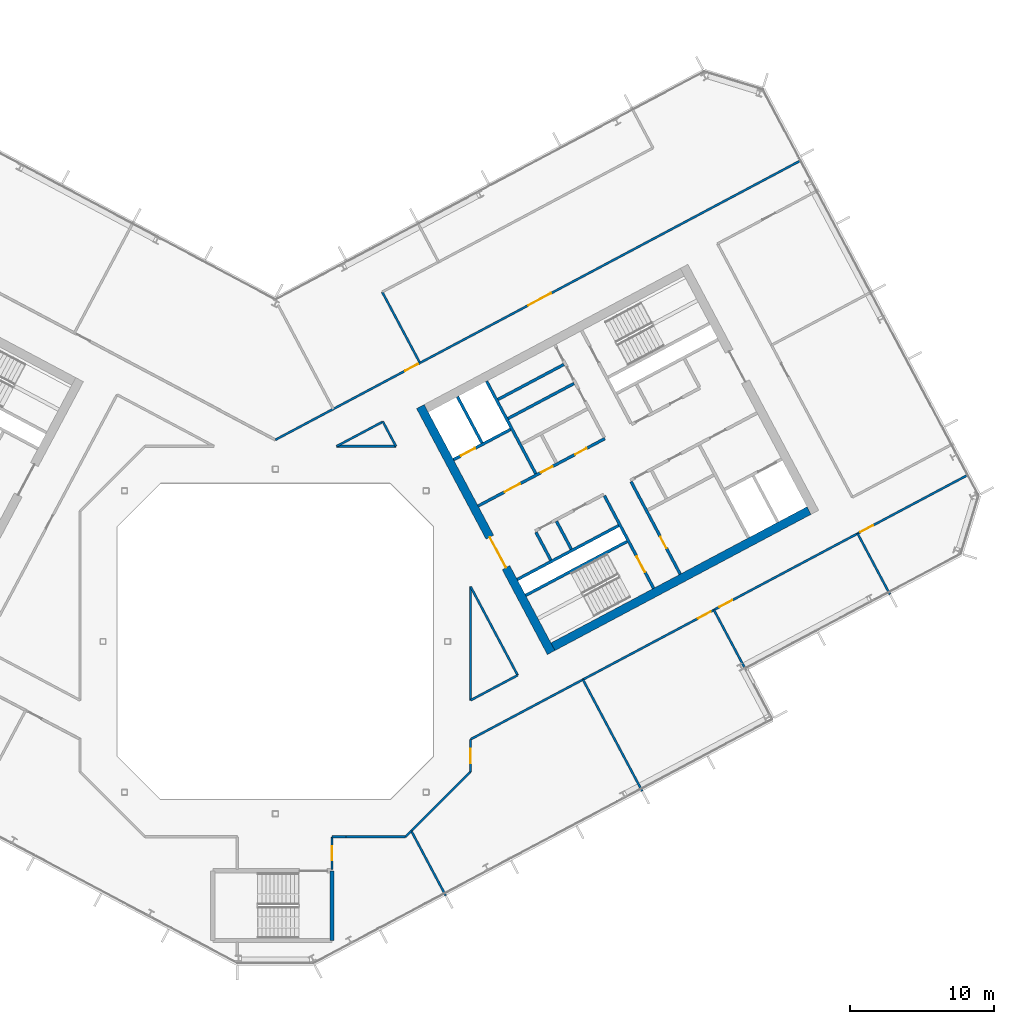
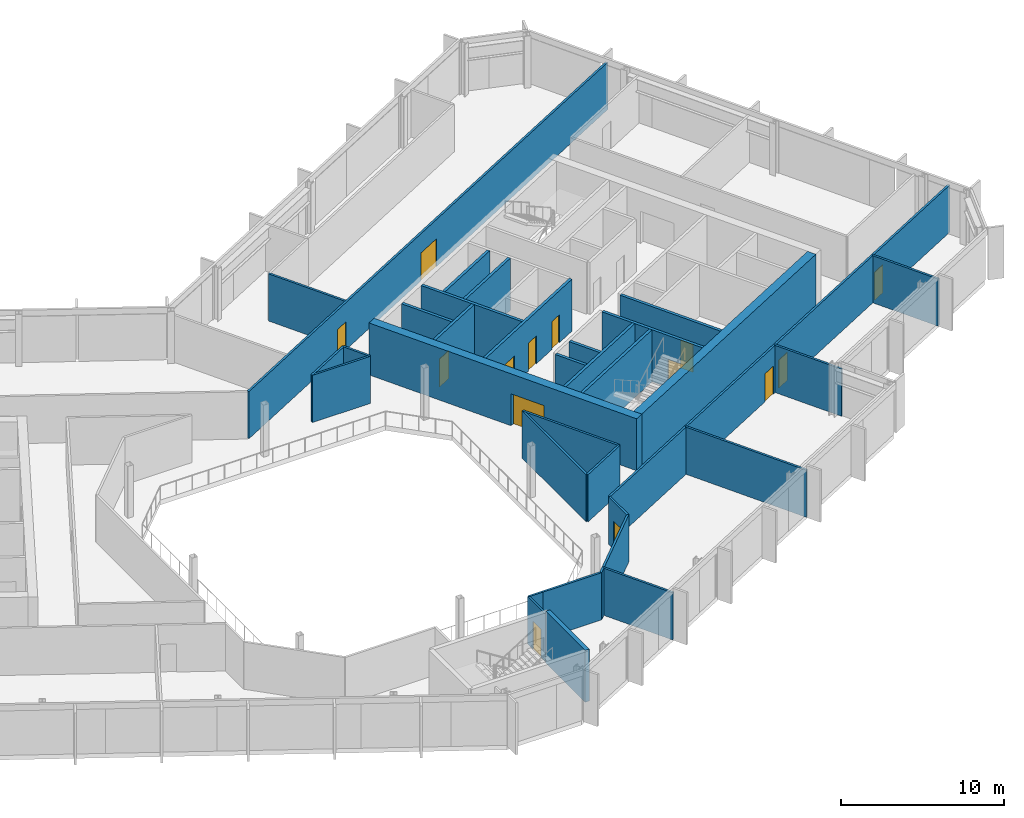
# One storey, part 15 of 26: 34 walls, 14 doors, 14 openings.
"""IFC4 building model written with IfcOpenShell, lengths in metres."""

from ifc_helpers import new_model, si_unit, direction, frame, frame_2d, origin, place, context, subcontext, project, spatial, rectangle, extrude, material, layer, layer_set, type_object, element, fill, save


model = new_model("IFC4")

# Units and contexts
model_context = context("Model", 3, precision=1e-05, world=origin(), true_north=direction((0.0, 1.0)))
body_context = subcontext(model_context, "Body", "Model", "MODEL_VIEW")
ifc_project = project(units=[si_unit("LENGTHUNIT", "METRE"), si_unit("AREAUNIT", "SQUARE_METRE"), si_unit("VOLUMEUNIT", "CUBIC_METRE"), si_unit("PLANEANGLEUNIT", "RADIAN"), si_unit("MASSUNIT", "GRAM", prefix="KILO")], contexts=[model_context])

# Site, building, storey
site_placement = place(None, origin())
site = spatial("IfcSite", under=ifc_project, at=site_placement, CompositionType="ELEMENT")
building_placement = place(site_placement, origin())
building = spatial("IfcBuilding", under=site, at=building_placement, Name="Cormorant Relay Tower", CompositionType="ELEMENT")
storey_placement = place(building_placement, frame((0.0, 0.0, 244.199951171875)))
storey = spatial("IfcBuildingStorey", under=building, at=storey_placement, Name="L54", CompositionType="ELEMENT", Elevation=244.199951171875)

# Walls
ifc_material_1 = material(Name="Concrete 40 MPa", Category="concrete")
ifc_layer_1 = layer(ifc_material_1, 0.199951171875)
ifc_layer_set_1 = layer_set([ifc_layer_1], Name="Core internal wall 200")
wall_type_1 = type_object("IfcWallType", Name="Core internal wall 200", PredefinedType="SOLIDWALL", material=ifc_layer_set_1)
wall_1_placement = place(storey_placement, frame((20.614013671875, 6.430419921875, 0.0), z_axis=(0.0, 0.0, 1.0), x_axis=(-0.4694473164, 0.882960484464, 0.0)))
element("IfcWall", 1, at=wall_1_placement, inside=storey, type_object=wall_type_1, Name="L54 core B shaft and room wall", PredefinedType="SOLIDWALL", context=body_context, shape_type="SweptSolid", body=[
    extrude(rectangle(XDim=2.199951171875, YDim=0.199951171875, at=frame_2d((1.10009765625, 0.0))), origin(), (0.0, 0.0, 1.0), 3.900146484375),
])
for number, where, z_axis, x_axis, name in (
    (2, (16.2080078125, 15.526611328125, 0.0), (0.0, 0.0, 1.0), (0.882953967957, 0.469459572775, 0.0), "L54 core B shaft and room wall"),
    (3, (15.503662109375, 16.85107421875, 0.0), (0.0, 0.0, 1.0), (0.882953967957, 0.469459572775, 0.0), "L54 core B shaft and room wall"),
):
    element("IfcWall", number, at=place(storey_placement, frame(where, z_axis=z_axis, x_axis=x_axis)), inside=storey, type_object=wall_type_1, Name=name, PredefinedType="SOLIDWALL", context=body_context, shape_type="SweptSolid", body=[
        extrude(rectangle(XDim=5.199951171875, YDim=0.199951171875, at=frame_2d((2.60009765625, 0.0))), origin(), (0.0, 0.0, 1.0), 3.900146484375),
    ])
ifc_material_2 = material(Name="Concrete 50 MPa", Category="concrete")
ifc_layer_2 = layer(ifc_material_2, 0.199951171875)
ifc_layer_set_2 = layer_set([ifc_layer_2], Name="Core shaft wall 200")
wall_type_2 = type_object("IfcWallType", Name="Core shaft wall 200", PredefinedType="SHEAR", material=ifc_layer_set_2)
wall_2_placement = place(storey_placement, frame((14.39404296875, 13.825927734375, 0.0), z_axis=(0.0, 0.0, 1.0), x_axis=(-0.469494272526, 0.882935517501, 0.0)))
element("IfcWall", 4, at=wall_2_placement, inside=storey, type_object=wall_type_2, Name="L54 core B shaft wall", PredefinedType="SHEAR", context=body_context, shape_type="SweptSolid", body=[
    extrude(rectangle(XDim=3.64990234375, YDim=0.199951171875, at=frame_2d((1.824951171875, 0.0))), origin(), (0.0, 0.0, 1.0), 3.900146484375),
])
wall_3_placement = place(storey_placement, frame((19.18359375, 5.669921875, 0.0), z_axis=(0.0, 0.0, 1.0), x_axis=(-0.4694473164, 0.882960484464, 0.0)))
element("IfcWall", 5, at=wall_3_placement, inside=storey, type_object=wall_type_2, Name="L54 core B shaft wall", PredefinedType="SHEAR", context=body_context, shape_type="SweptSolid", body=[
    extrude(rectangle(XDim=2.199951171875, YDim=0.199951171875, at=frame_2d((1.10009765625, 0.0))), origin(), (0.0, 0.0, 1.0), 3.900146484375),
])
wall_4_placement = place(storey_placement, frame((18.138427734375, 11.682861328125, 0.0), z_axis=(0.0, 0.0, 1.0), x_axis=(-0.469480409012, 0.88294288918, 0.0)))
element("IfcWall", 6, at=wall_4_placement, inside=storey, type_object=wall_type_2, Name="L54 core B shaft wall", PredefinedType="SHEAR", context=body_context, shape_type="SweptSolid", body=[
    extrude(rectangle(XDim=7.300048828125, YDim=0.199951171875, at=frame_2d((3.64990234375, 0.0))), origin(), (0.0, 0.0, 1.0), 3.900146484375),
])

# Wall, opening, door
wall_5_placement = place(storey_placement, frame((26.345947265625, 3.701904296875, 0.0), z_axis=(0.0, 0.0, 1.0), x_axis=(-0.469480409012, 0.88294288918, 0.0)))
wall_5 = element("IfcWall", 7, at=wall_5_placement, inside=storey, type_object=wall_type_2, Name="L54 core B shaft wall", PredefinedType="SHEAR", context=body_context, shape_type="SweptSolid", body=[
    extrude(rectangle(XDim=7.300048828125, YDim=0.199951171875, at=frame_2d((3.64990234375, 0.0))), origin(), (0.0, 0.0, 1.0), 3.900146484375),
])
opening_1_placement = place(wall_5_placement, frame((1.300048828125, 0.0, 0.0)))
opening_1 = element("IfcOpeningElement", 8, at=opening_1_placement, cuts=wall_5, Name="Opening CDB-040", PredefinedType="OPENING", context=body_context, shape_type="SweptSolid", body=[
    extrude(rectangle(XDim=1.199951171875, YDim=2.10009765625, at=frame_2d((0.60009765625, 1.050048828125))), frame((0.0, 0.10986328125, 0.0), z_axis=(0.0, -1.0, 0.0), x_axis=(1.0, 0.0, 0.0)), (0.0, 0.0, 1.0), 0.219970703125),
])
ifc_material_3 = material(Name="Steel fire door", Category="steel")
door_type_1 = type_object("IfcDoorType", Name="Core stair door 1200x2100", OperationType="SINGLE_SWING_LEFT", PredefinedType="DOOR", material=ifc_material_3)
door_1_placement = place(opening_1_placement, origin())
door_1 = element("IfcDoor", 9, at=door_1_placement, inside=storey, type_object=door_type_1, Name="Core stair door 1200x2100", OperationType="SINGLE_SWING_RIGHT", OverallHeight=2.10009765625, OverallWidth=1.199951171875, PredefinedType="DOOR", context=body_context, shape_type="SweptSolid", body=[
    extrude(rectangle(XDim=1.199951171875, YDim=2.10009765625, at=frame_2d((0.60009765625, 1.050048828125))), frame((0.0, 0.02490234375, 0.0), z_axis=(0.0, -1.0, 0.0), x_axis=(1.0, 0.0, 0.0)), (0.0, 0.0, 1.0), 0.050048828125),
])
fill(opening_1, door_1)

wall_6_placement = place(storey_placement, frame((28.199951171875, 4.687744140625, 0.0), z_axis=(0.0, 0.0, 1.0), x_axis=(-0.469454336211, 0.882956752176, 0.0)))
wall_6 = element("IfcWall", 10, at=wall_6_placement, inside=storey, type_object=wall_type_2, Name="L54 core B shaft wall", PredefinedType="SHEAR", context=body_context, shape_type="SweptSolid", body=[
    extrude(rectangle(XDim=7.300048828125, YDim=0.199951171875, at=frame_2d((3.64990234375, 0.0))), origin(), (0.0, 0.0, 1.0), 3.900146484375),
])
opening_2_placement = place(wall_6_placement, frame((2.050048828125, 0.0, 0.0)))
opening_2 = element("IfcOpeningElement", 11, at=opening_2_placement, cuts=wall_6, Name="Opening CDD-302", PredefinedType="OPENING", context=body_context, shape_type="SweptSolid", body=[
    extrude(rectangle(XDim=0.89990234375, YDim=2.10009765625, at=frame_2d((0.449951171875, 1.050048828125))), frame((0.0, 0.10986328125, 0.0), z_axis=(0.0, -1.0, 0.0), x_axis=(1.0, 0.0, 0.0)), (0.0, 0.0, 1.0), 0.219970703125),
])
ifc_material_4 = material(Name="Steel fire door", Category="steel")
door_type_2 = type_object("IfcDoorType", Name="Core room door 900x2100", OperationType="SINGLE_SWING_LEFT", PredefinedType="DOOR", material=ifc_material_4)
door_2_placement = place(opening_2_placement, origin())
door_2 = element("IfcDoor", 12, at=door_2_placement, inside=storey, type_object=door_type_2, Name="Core room door 900x2100", OperationType="SINGLE_SWING_RIGHT", OverallHeight=2.10009765625, OverallWidth=0.89990234375, PredefinedType="DOOR", context=body_context, shape_type="SweptSolid", body=[
    extrude(rectangle(XDim=0.89990234375, YDim=2.10009765625, at=frame_2d((0.449951171875, 1.050048828125))), frame((0.0, 0.02490234375, 0.0), z_axis=(0.0, -1.0, 0.0), x_axis=(1.0, 0.0, 0.0)), (0.0, 0.0, 1.0), 0.050048828125),
])
fill(opening_2, door_2)

# Walls
for number, where, z_axis, x_axis, name in (
    (13, (17.43359375, 3.210205078125, 0.0), (0.0, 0.0, 1.0), (0.882940221191, 0.469485426614, 0.0), "L54 core B shaft wall"),
    (14, (16.8466796875, 4.31396484375, 0.0), (0.0, 0.0, 1.0), (0.882940221191, 0.469485426614, 0.0), "L54 core B shaft wall"),
):
    element("IfcWall", number, at=place(storey_placement, frame(where, z_axis=z_axis, x_axis=x_axis)), inside=storey, type_object=wall_type_2, Name=name, PredefinedType="SHEAR", context=body_context, shape_type="SweptSolid", body=[
        extrude(rectangle(XDim=8.0, YDim=0.199951171875, at=frame_2d((4.0, 0.0))), origin(), (0.0, 0.0, 1.0), 3.900146484375),
    ])

# Wall, openings, doors
wall_7_placement = place(storey_placement, frame((14.123779296875, 9.43505859375, 0.0), z_axis=(0.0, 0.0, 1.0), x_axis=(0.882940221191, 0.469485426614, 0.0)))
wall_7 = element("IfcWall", 15, at=wall_7_placement, inside=storey, type_object=wall_type_2, Name="L54 core B shaft wall", PredefinedType="SHEAR", context=body_context, shape_type="SweptSolid", body=[
    extrude(rectangle(XDim=10.0, YDim=0.199951171875, at=frame_2d((5.0, 0.0))), origin(), (0.0, 0.0, 1.0), 3.900146484375),
])
opening_3_placement = place(wall_7_placement, frame((2.10009765625, 0.0, 0.0)))
opening_3 = element("IfcOpeningElement", 16, at=opening_3_placement, cuts=wall_7, Name="Opening CDC-037", PredefinedType="OPENING", context=body_context, shape_type="SweptSolid", body=[
    extrude(rectangle(XDim=1.199951171875, YDim=2.10009765625, at=frame_2d((0.60009765625, 1.050048828125))), frame((0.0, 0.10986328125, 0.0), z_axis=(0.0, -1.0, 0.0), x_axis=(1.0, 0.0, 0.0)), (0.0, 0.0, 1.0), 0.219970703125),
])
opening_4_placement = place(wall_7_placement, frame((4.9599609375, 0.0, 0.0)))
opening_4 = element("IfcOpeningElement", 17, at=opening_4_placement, cuts=wall_7, Name="Opening CDD-293", PredefinedType="OPENING", context=body_context, shape_type="SweptSolid", body=[
    extrude(rectangle(XDim=0.89990234375, YDim=2.10009765625, at=frame_2d((0.449951171875, 1.050048828125))), frame((0.0, 0.10986328125, 0.0), z_axis=(0.0, -1.0, 0.0), x_axis=(1.0, 0.0, 0.0)), (0.0, 0.0, 1.0), 0.219970703125),
])
opening_5_placement = place(wall_7_placement, frame((7.659912109375, 0.0, 0.0)))
opening_5 = element("IfcOpeningElement", 18, at=opening_5_placement, cuts=wall_7, Name="Opening CDD-272", PredefinedType="OPENING", context=body_context, shape_type="SweptSolid", body=[
    extrude(rectangle(XDim=0.89990234375, YDim=2.10009765625, at=frame_2d((0.449951171875, 1.050048828125))), frame((0.0, 0.10986328125, 0.0), z_axis=(0.0, -1.0, 0.0), x_axis=(1.0, 0.0, 0.0)), (0.0, 0.0, 1.0), 0.219970703125),
])
ifc_material_5 = material(Name="Steel fire door", Category="steel")
door_type_3 = type_object("IfcDoorType", Name="Core lobby door 1200x2100", OperationType="SINGLE_SWING_LEFT", PredefinedType="DOOR", material=ifc_material_5)
door_3_placement = place(opening_3_placement, origin())
door_3 = element("IfcDoor", 19, at=door_3_placement, inside=storey, type_object=door_type_3, Name="Core lobby door 1200x2100", OperationType="SINGLE_SWING_RIGHT", OverallHeight=2.10009765625, OverallWidth=1.199951171875, PredefinedType="DOOR", context=body_context, shape_type="SweptSolid", body=[
    extrude(rectangle(XDim=1.199951171875, YDim=2.10009765625, at=frame_2d((0.60009765625, 1.050048828125))), frame((0.0, 0.02490234375, 0.0), z_axis=(0.0, -1.0, 0.0), x_axis=(1.0, 0.0, 0.0)), (0.0, 0.0, 1.0), 0.050048828125),
])
fill(opening_3, door_3)
door_4_placement = place(opening_4_placement, origin())
door_4 = element("IfcDoor", 20, at=door_4_placement, inside=storey, type_object=door_type_2, Name="Core room door 900x2100", OperationType="SINGLE_SWING_LEFT", OverallHeight=2.10009765625, OverallWidth=0.89990234375, PredefinedType="DOOR", context=body_context, shape_type="SweptSolid", body=[
    extrude(rectangle(XDim=0.89990234375, YDim=2.10009765625, at=frame_2d((0.449951171875, 1.050048828125))), frame((0.0, 0.02490234375, 0.0), z_axis=(0.0, -1.0, 0.0), x_axis=(1.0, 0.0, 0.0)), (0.0, 0.0, 1.0), 0.050048828125),
])
fill(opening_4, door_4)
door_5_placement = place(opening_5_placement, origin())
door_5 = element("IfcDoor", 21, at=door_5_placement, inside=storey, type_object=door_type_2, Name="Core room door 900x2100", OperationType="SINGLE_SWING_LEFT", OverallHeight=2.10009765625, OverallWidth=0.89990234375, PredefinedType="DOOR", context=body_context, shape_type="SweptSolid", body=[
    extrude(rectangle(XDim=0.89990234375, YDim=2.10009765625, at=frame_2d((0.449951171875, 1.050048828125))), frame((0.0, 0.02490234375, 0.0), z_axis=(0.0, -1.0, 0.0), x_axis=(1.0, 0.0, 0.0)), (0.0, 0.0, 1.0), 0.050048828125),
])
fill(opening_5, door_5)

# Wall, opening, door
wall_8_placement = place(storey_placement, frame((12.41015625, 12.657958984375, 0.0), z_axis=(0.0, 0.0, 1.0), x_axis=(0.8829484765, 0.469469900894, 0.0)))
wall_8 = element("IfcWall", 22, at=wall_8_placement, inside=storey, type_object=wall_type_2, Name="L54 core B shaft wall", PredefinedType="SHEAR", context=body_context, shape_type="SweptSolid", body=[
    extrude(rectangle(XDim=4.499755859375, YDim=0.199951171875, at=frame_2d((2.25, 0.0))), origin(), (0.0, 0.0, 1.0), 3.900146484375),
])
opening_6_placement = place(wall_8_placement, frame((0.60009765625, 0.0, 0.0)))
opening_6 = element("IfcOpeningElement", 23, at=opening_6_placement, cuts=wall_8, Name="Opening LD1-064", PredefinedType="OPENING", context=body_context, shape_type="SweptSolid", body=[
    extrude(rectangle(XDim=1.10009765625, YDim=2.10009765625, at=frame_2d((0.550048828125, 1.050048828125))), frame((0.0, 0.10986328125, 0.0), z_axis=(0.0, -1.0, 0.0), x_axis=(1.0, 0.0, 0.0)), (0.0, 0.0, 1.0), 0.219970703125),
])
ifc_material_6 = material(Name="Stainless steel 316", Category="steel")
door_type_4 = type_object("IfcDoorType", Name="Lift landing door 1100x2100", OperationType="DOUBLE_DOOR_SLIDING", PredefinedType="DOOR", material=ifc_material_6)
door_6_placement = place(opening_6_placement, origin())
door_6 = element("IfcDoor", 24, at=door_6_placement, inside=storey, type_object=door_type_4, Name="FF2 landing door", OperationType="DOUBLE_DOOR_SLIDING", OverallHeight=2.10009765625, OverallWidth=1.10009765625, PredefinedType="DOOR", context=body_context, shape_type="SweptSolid", body=[
    extrude(rectangle(XDim=1.10009765625, YDim=2.10009765625, at=frame_2d((0.550048828125, 1.050048828125))), frame((0.0, 0.02490234375, 0.0), z_axis=(0.0, -1.0, 0.0), x_axis=(1.0, 0.0, 0.0)), (0.0, 0.0, 1.0), 0.050048828125),
])
fill(opening_6, door_6)

ifc_material_7 = material(Name="Concrete 50 MPa", Category="concrete")
ifc_layer_3 = layer(ifc_material_7, 0.60009765625)
ifc_layer_set_3 = layer_set([ifc_layer_3], Name="Core wall 600")
wall_type_3 = type_object("IfcWallType", Name="Core wall 600", PredefinedType="SHEAR", material=ifc_layer_set_3)
wall_9_placement = place(storey_placement, frame((19.210693359375, -0.771484375, 0.0), z_axis=(0.0, 0.0, 1.0), x_axis=(-0.469463742137, 0.882951751127, 0.0)))
wall_9 = element("IfcWall", 25, at=wall_9_placement, inside=storey, type_object=wall_type_3, Name="L54 core B wall", PredefinedType="SHEAR", context=body_context, shape_type="SweptSolid", body=[
    extrude(rectangle(XDim=19.400146484375, YDim=0.60009765625, at=frame_2d((9.7001953125, 0.0))), origin(), (0.0, 0.0, 1.0), 3.900146484375),
])
opening_7_placement = place(wall_9_placement, frame((6.699951171875, 0.0, 0.0)))
opening_7 = element("IfcOpeningElement", 26, at=opening_7_placement, cuts=wall_9, Name="Opening CDA-044", PredefinedType="OPENING", context=body_context, shape_type="SweptSolid", body=[
    extrude(rectangle(XDim=2.39990234375, YDim=2.39990234375, at=frame_2d((1.199951171875, 1.199951171875))), frame((0.0, 0.31005859375, 0.0), z_axis=(0.0, -1.0, 0.0), x_axis=(1.0, 0.0, 0.0)), (0.0, 0.0, 1.0), 0.6201171875),
])
ifc_material_8 = material(Name="Steel fire door", Category="steel")
door_type_5 = type_object("IfcDoorType", Name="Core lobby door 2400x2400", OperationType="DOUBLE_DOOR_SINGLE_SWING", PredefinedType="DOOR", material=ifc_material_8)
door_7_placement = place(opening_7_placement, origin())
door_7 = element("IfcDoor", 27, at=door_7_placement, inside=storey, type_object=door_type_5, Name="Core lobby door 2400x2400", OperationType="DOUBLE_DOOR_SINGLE_SWING", OverallHeight=2.39990234375, OverallWidth=2.39990234375, PredefinedType="DOOR", context=body_context, shape_type="SweptSolid", body=[
    extrude(rectangle(XDim=2.39990234375, YDim=2.39990234375, at=frame_2d((1.199951171875, 1.199951171875))), frame((0.0, 0.02490234375, 0.0), z_axis=(0.0, -1.0, 0.0), x_axis=(1.0, 0.0, 0.0)), (0.0, 0.0, 1.0), 0.050048828125),
])
fill(opening_7, door_7)

# Wall
wall_10_placement = place(storey_placement, frame((19.3349609375, -0.36572265625, 0.0), z_axis=(0.0, 0.0, 1.0), x_axis=(0.88294509198, 0.469476266226, 0.0)))
element("IfcWall", 28, at=wall_10_placement, inside=storey, type_object=wall_type_3, Name="L54 core B wall", PredefinedType="SHEAR", context=body_context, shape_type="SweptSolid", body=[
    extrude(rectangle(XDim=20.199951171875, YDim=0.60009765625, at=frame_2d((10.10009765625, 0.0))), origin(), (0.0, 0.0, 1.0), 3.900146484375),
])

# Wall, openings, doors
ifc_material_9 = material(Name="Gypsum board fire partition")
ifc_layer_4 = layer(ifc_material_9, 0.14990234375)
ifc_layer_set_4 = layer_set([ifc_layer_4], Name="Corridor partition 150 EI 60")
wall_type_4 = type_object("IfcWallType", Name="Corridor partition 150 EI 60", PredefinedType="PARTITIONING", material=ifc_layer_set_4)
wall_11_placement = place(storey_placement, frame((0.0, 14.0439453125, 0.0), z_axis=(0.0, 0.0, 1.0), x_axis=(0.882962129795, 0.469444221764, 0.0)))
wall_11 = element("IfcWall", 29, at=wall_11_placement, inside=storey, type_object=wall_type_4, Name="wall/L54/part/011", PredefinedType="PARTITIONING", context=body_context, shape_type="SweptSolid", body=[
    extrude(rectangle(XDim=41.606689453125, YDim=0.14990234375, at=frame_2d((20.80322265625, 0.0))), origin(), (0.0, 0.0, 1.0), 3.5400390625),
])
opening_8_placement = place(wall_11_placement, frame((19.949951171875, 0.0, 0.0)))
opening_8 = element("IfcOpeningElement", 30, at=opening_8_placement, cuts=wall_11, Name="Opening DD-023", PredefinedType="OPENING", context=body_context, shape_type="SweptSolid", body=[
    extrude(rectangle(XDim=1.800048828125, YDim=2.10009765625, at=frame_2d((0.89990234375, 1.050048828125))), frame((0.0, 0.0849609375, 0.0), z_axis=(0.0, -1.0, 0.0), x_axis=(1.0, 0.0, 0.0)), (0.0, 0.0, 1.0), 0.169921875),
])
opening_9_placement = place(wall_11_placement, frame((10.25, 0.0, 0.0)))
opening_9 = element("IfcOpeningElement", 31, at=opening_9_placement, cuts=wall_11, Name="Opening DS-118", PredefinedType="OPENING", context=body_context, shape_type="SweptSolid", body=[
    extrude(rectangle(XDim=1.0, YDim=2.10009765625, at=frame_2d((0.5, 1.050048828125))), frame((0.0, 0.0849609375, 0.0), z_axis=(0.0, -1.0, 0.0), x_axis=(1.0, 0.0, 0.0)), (0.0, 0.0, 1.0), 0.169921875),
])
ifc_material_10 = material(Name="Timber door leaf", Category="wood")
door_type_6 = type_object("IfcDoorType", Name="Suite door 1000x2100", OperationType="SINGLE_SWING_LEFT", PredefinedType="DOOR", material=ifc_material_10)
door_8_placement = place(opening_9_placement, origin())
door_8 = element("IfcDoor", 32, at=door_8_placement, inside=storey, type_object=door_type_6, Name="door/L54/014", OperationType="SINGLE_SWING_RIGHT", OverallHeight=2.10009765625, OverallWidth=1.0, PredefinedType="DOOR", context=body_context, shape_type="SweptSolid", body=[
    extrude(rectangle(XDim=1.0, YDim=2.10009765625, at=frame_2d((0.5, 1.050048828125))), frame((0.0, 0.02490234375, 0.0), z_axis=(0.0, -1.0, 0.0), x_axis=(1.0, 0.0, 0.0)), (0.0, 0.0, 1.0), 0.050048828125),
])
fill(opening_9, door_8)
ifc_material_11 = material(Name="Timber door leaf", Category="wood")
door_type_7 = type_object("IfcDoorType", Name="Suite double door 1800x2100", OperationType="DOUBLE_DOOR_SINGLE_SWING", PredefinedType="DOOR", material=ifc_material_11)
door_9_placement = place(opening_8_placement, origin())
door_9 = element("IfcDoor", 33, at=door_9_placement, inside=storey, type_object=door_type_7, Name="door/L54/013", OperationType="DOUBLE_DOOR_SINGLE_SWING", OverallHeight=2.10009765625, OverallWidth=1.800048828125, PredefinedType="DOOR", context=body_context, shape_type="SweptSolid", body=[
    extrude(rectangle(XDim=1.800048828125, YDim=2.10009765625, at=frame_2d((0.89990234375, 1.050048828125))), frame((0.0, 0.02490234375, 0.0), z_axis=(0.0, -1.0, 0.0), x_axis=(1.0, 0.0, 0.0)), (0.0, 0.0, 1.0), 0.050048828125),
])
fill(opening_8, door_9)

# Wall
wall_12_placement = place(storey_placement, frame((4.93798828125, -13.60009765625, 0.0), z_axis=(0.0, 0.0, 1.0), x_axis=(-1.0, 0.0, 0.0)))
element("IfcWall", 34, at=wall_12_placement, inside=storey, type_object=wall_type_4, Name="wall/L54/part/025", PredefinedType="PARTITIONING", context=body_context, shape_type="SweptSolid", body=[
    extrude(rectangle(XDim=0.988037109375, YDim=0.14990234375, at=frame_2d((0.494140625, 0.0))), origin(), (0.0, 0.0, 1.0), 3.5400390625),
])

# Wall, opening, door
wall_13_placement = place(storey_placement, frame((3.949951171875, -13.60009765625, 0.0), z_axis=(0.0, 0.0, 1.0), x_axis=(0.0, -1.0, 0.0)))
wall_13 = element("IfcWall", 35, at=wall_13_placement, inside=storey, type_object=wall_type_4, Name="wall/L54/part/026", PredefinedType="PARTITIONING", context=body_context, shape_type="SweptSolid", body=[
    extrude(rectangle(XDim=2.27490234375, YDim=0.14990234375, at=frame_2d((1.137451171875, 0.0))), origin(), (0.0, 0.0, 1.0), 3.5400390625),
])
opening_10_placement = place(wall_13_placement, frame((0.64990234375, 0.0, 0.0)))
opening_10 = element("IfcOpeningElement", 36, at=opening_10_placement, cuts=wall_13, Name="Opening DS-138", PredefinedType="OPENING", context=body_context, shape_type="SweptSolid", body=[
    extrude(rectangle(XDim=1.0, YDim=2.10009765625, at=frame_2d((0.5, 1.050048828125))), frame((0.0, 0.0849609375, 0.0), z_axis=(0.0, -1.0, 0.0), x_axis=(1.0, 0.0, 0.0)), (0.0, 0.0, 1.0), 0.169921875),
])
door_10_placement = place(opening_10_placement, origin())
door_10 = element("IfcDoor", 37, at=door_10_placement, inside=storey, type_object=door_type_6, Name="door/L54/001", OperationType="SINGLE_SWING_LEFT", OverallHeight=2.10009765625, OverallWidth=1.0, PredefinedType="DOOR", context=body_context, shape_type="SweptSolid", body=[
    extrude(rectangle(XDim=1.0, YDim=2.10009765625, at=frame_2d((0.5, 1.050048828125))), frame((0.0, 0.02490234375, 0.0), z_axis=(0.0, -1.0, 0.0), x_axis=(1.0, 0.0, 0.0)), (0.0, 0.0, 1.0), 0.050048828125),
])
fill(opening_10, door_10)

# Walls
wall_14_placement = place(storey_placement, frame((9.472900390625, -13.2041015625, 0.0), z_axis=(0.0, 0.0, 1.0), x_axis=(-0.707106781187, -0.707106781187, 0.0)))
element("IfcWall", 38, at=wall_14_placement, inside=storey, type_object=wall_type_4, Name="wall/L54/part/027", PredefinedType="PARTITIONING", context=body_context, shape_type="SweptSolid", body=[
    extrude(rectangle(XDim=0.56005859375, YDim=0.14990234375, at=frame_2d((0.280029296875, 0.0))), origin(), (0.0, 0.0, 1.0), 3.5400390625),
])
wall_15_placement = place(storey_placement, frame((9.076904296875, -13.60009765625, 0.0), z_axis=(0.0, 0.0, 1.0), x_axis=(-1.0, 0.0, 0.0)))
element("IfcWall", 39, at=wall_15_placement, inside=storey, type_object=wall_type_4, Name="wall/L54/part/028", PredefinedType="PARTITIONING", context=body_context, shape_type="SweptSolid", body=[
    extrude(rectangle(XDim=4.138916015625, YDim=0.14990234375, at=frame_2d((2.0693359375, 0.0))), origin(), (0.0, 0.0, 1.0), 3.5400390625),
])

# Wall, opening, door
wall_16_placement = place(storey_placement, frame((13.60009765625, -6.827880859375, 0.0), z_axis=(0.0, 0.0, 1.0), x_axis=(0.0, -1.0, 0.0)))
wall_16 = element("IfcWall", 40, at=wall_16_placement, inside=storey, type_object=wall_type_4, Name="wall/L54/part/030", PredefinedType="PARTITIONING", context=body_context, shape_type="SweptSolid", body=[
    extrude(rectangle(XDim=2.2490234375, YDim=0.14990234375, at=frame_2d((1.12451171875, 0.0))), origin(), (0.0, 0.0, 1.0), 3.5400390625),
])
opening_11_placement = place(wall_16_placement, frame((0.64990234375, 0.0, 0.0)))
opening_11 = element("IfcOpeningElement", 41, at=opening_11_placement, cuts=wall_16, Name="Opening DS-165", PredefinedType="OPENING", context=body_context, shape_type="SweptSolid", body=[
    extrude(rectangle(XDim=1.0, YDim=2.10009765625, at=frame_2d((0.5, 1.050048828125))), frame((0.0, 0.0849609375, 0.0), z_axis=(0.0, -1.0, 0.0), x_axis=(1.0, 0.0, 0.0)), (0.0, 0.0, 1.0), 0.169921875),
])
door_11_placement = place(opening_11_placement, origin())
door_11 = element("IfcDoor", 42, at=door_11_placement, inside=storey, type_object=door_type_6, Name="door/L54/002", OperationType="SINGLE_SWING_LEFT", OverallHeight=2.10009765625, OverallWidth=1.0, PredefinedType="DOOR", context=body_context, shape_type="SweptSolid", body=[
    extrude(rectangle(XDim=1.0, YDim=2.10009765625, at=frame_2d((0.5, 1.050048828125))), frame((0.0, 0.02490234375, 0.0), z_axis=(0.0, -1.0, 0.0), x_axis=(1.0, 0.0, 0.0)), (0.0, 0.0, 1.0), 0.050048828125),
])
fill(opening_11, door_11)

# Wall
wall_17_placement = place(storey_placement, frame((13.60009765625, -9.076904296875, 0.0), z_axis=(0.0, 0.0, 1.0), x_axis=(-0.707106781187, -0.707106781187, 0.0)))
element("IfcWall", 43, at=wall_17_placement, inside=storey, type_object=wall_type_4, Name="wall/L54/part/031", PredefinedType="PARTITIONING", context=body_context, shape_type="SweptSolid", body=[
    extrude(rectangle(XDim=5.882080078125, YDim=0.14990234375, at=frame_2d((2.94091796875, 0.0))), origin(), (0.0, 0.0, 1.0), 3.5400390625),
])

# Wall, openings, doors
wall_18_placement = place(storey_placement, frame((48.3798828125, 11.678955078125, 0.0), z_axis=(0.0, 0.0, 1.0), x_axis=(-0.882955973974, -0.469455799862, 0.0)))
wall_18 = element("IfcWall", 44, at=wall_18_placement, inside=storey, type_object=wall_type_4, Name="wall/L54/part/038", PredefinedType="PARTITIONING", context=body_context, shape_type="SweptSolid", body=[
    extrude(rectangle(XDim=39.39013671875, YDim=0.14990234375, at=frame_2d((19.695068359375, 0.0))), origin(), (0.0, 0.0, 1.0), 3.5400390625),
])
opening_12_placement = place(wall_18_placement, frame((20.449951171875, 0.0, 0.0)))
opening_12 = element("IfcOpeningElement", 45, at=opening_12_placement, cuts=wall_18, Name="Opening DS-166", PredefinedType="OPENING", context=body_context, shape_type="SweptSolid", body=[
    extrude(rectangle(XDim=1.0, YDim=2.10009765625, at=frame_2d((0.5, 1.050048828125))), frame((0.0, 0.0849609375, 0.0), z_axis=(0.0, -1.0, 0.0), x_axis=(1.0, 0.0, 0.0)), (0.0, 0.0, 1.0), 0.169921875),
])
opening_13_placement = place(wall_18_placement, frame((18.75, 0.0, 0.0)))
opening_13 = element("IfcOpeningElement", 46, at=opening_13_placement, cuts=wall_18, Name="Opening DS-167", PredefinedType="OPENING", context=body_context, shape_type="SweptSolid", body=[
    extrude(rectangle(XDim=1.0, YDim=2.10009765625, at=frame_2d((0.5, 1.050048828125))), frame((0.0, 0.0849609375, 0.0), z_axis=(0.0, -1.0, 0.0), x_axis=(1.0, 0.0, 0.0)), (0.0, 0.0, 1.0), 0.169921875),
])
opening_14_placement = place(wall_18_placement, frame((7.64990234375, 0.0, 0.0)))
opening_14 = element("IfcOpeningElement", 47, at=opening_14_placement, cuts=wall_18, Name="Opening DS-168", PredefinedType="OPENING", context=body_context, shape_type="SweptSolid", body=[
    extrude(rectangle(XDim=1.0, YDim=2.10009765625, at=frame_2d((0.5, 1.050048828125))), frame((0.0, 0.0849609375, 0.0), z_axis=(0.0, -1.0, 0.0), x_axis=(1.0, 0.0, 0.0)), (0.0, 0.0, 1.0), 0.169921875),
])
door_12_placement = place(opening_12_placement, origin())
door_12 = element("IfcDoor", 48, at=door_12_placement, inside=storey, type_object=door_type_6, Name="door/L54/003", OperationType="SINGLE_SWING_LEFT", OverallHeight=2.10009765625, OverallWidth=1.0, PredefinedType="DOOR", context=body_context, shape_type="SweptSolid", body=[
    extrude(rectangle(XDim=1.0, YDim=2.10009765625, at=frame_2d((0.5, 1.050048828125))), frame((0.0, 0.02490234375, 0.0), z_axis=(0.0, -1.0, 0.0), x_axis=(1.0, 0.0, 0.0)), (0.0, 0.0, 1.0), 0.050048828125),
])
fill(opening_12, door_12)
door_13_placement = place(opening_13_placement, origin())
door_13 = element("IfcDoor", 49, at=door_13_placement, inside=storey, type_object=door_type_6, Name="door/L54/004", OperationType="SINGLE_SWING_RIGHT", OverallHeight=2.10009765625, OverallWidth=1.0, PredefinedType="DOOR", context=body_context, shape_type="SweptSolid", body=[
    extrude(rectangle(XDim=1.0, YDim=2.10009765625, at=frame_2d((0.5, 1.050048828125))), frame((0.0, 0.02490234375, 0.0), z_axis=(0.0, -1.0, 0.0), x_axis=(1.0, 0.0, 0.0)), (0.0, 0.0, 1.0), 0.050048828125),
])
fill(opening_13, door_13)
door_14_placement = place(opening_14_placement, origin())
door_14 = element("IfcDoor", 50, at=door_14_placement, inside=storey, type_object=door_type_6, Name="door/L54/005", OperationType="SINGLE_SWING_RIGHT", OverallHeight=2.10009765625, OverallWidth=1.0, PredefinedType="DOOR", context=body_context, shape_type="SweptSolid", body=[
    extrude(rectangle(XDim=1.0, YDim=2.10009765625, at=frame_2d((0.5, 1.050048828125))), frame((0.0, 0.02490234375, 0.0), z_axis=(0.0, -1.0, 0.0), x_axis=(1.0, 0.0, 0.0)), (0.0, 0.0, 1.0), 0.050048828125),
])
fill(opening_14, door_14)

# Walls
wall_19_placement = place(storey_placement, frame((4.277099609375, 13.60009765625, 0.0), z_axis=(0.0, 0.0, 1.0), x_axis=(1.0, 0.0, 0.0)))
element("IfcWall", 51, at=wall_19_placement, inside=storey, type_object=wall_type_4, Name="wall/L54/part/051", PredefinedType="PARTITIONING", context=body_context, shape_type="SweptSolid", body=[
    extrude(rectangle(XDim=4.120849609375, YDim=0.14990234375, at=frame_2d((2.060546875, 0.0))), origin(), (0.0, 0.0, 1.0), 3.5400390625),
])
wall_20_placement = place(storey_placement, frame((8.39794921875, 13.60009765625, 0.0), z_axis=(0.0, 0.0, 1.0), x_axis=(-0.469388988559, 0.882991493401, 0.0)))
element("IfcWall", 52, at=wall_20_placement, inside=storey, type_object=wall_type_4, Name="wall/L54/part/052", PredefinedType="PARTITIONING", context=body_context, shape_type="SweptSolid", body=[
    extrude(rectangle(XDim=1.934326171875, YDim=0.14990234375, at=frame_2d((0.96728515625, 0.0))), origin(), (0.0, 0.0, 1.0), 3.5400390625),
])
wall_21_placement = place(storey_placement, frame((7.489990234375, 15.30810546875, 0.0), z_axis=(0.0, 0.0, 1.0), x_axis=(-0.882983638691, -0.469403764155, 0.0)))
element("IfcWall", 53, at=wall_21_placement, inside=storey, type_object=wall_type_4, Name="wall/L54/part/053", PredefinedType="PARTITIONING", context=body_context, shape_type="SweptSolid", body=[
    extrude(rectangle(XDim=3.638671875, YDim=0.14990234375, at=frame_2d((1.8193359375, 0.0))), origin(), (0.0, 0.0, 1.0), 3.5400390625),
])
wall_22_placement = place(storey_placement, frame((16.87890625, -2.35107421875, 0.0), z_axis=(0.0, 0.0, 1.0), x_axis=(-0.469386900786, 0.882992603236, 0.0)))
element("IfcWall", 54, at=wall_22_placement, inside=storey, type_object=wall_type_4, Name="wall/L54/part/054", PredefinedType="PARTITIONING", context=body_context, shape_type="SweptSolid", body=[
    extrude(rectangle(XDim=6.9853515625, YDim=0.14990234375, at=frame_2d((3.49267578125, 0.0))), origin(), (0.0, 0.0, 1.0), 3.5400390625),
])
wall_23_placement = place(storey_placement, frame((13.60009765625, 3.81689453125, 0.0), z_axis=(0.0, 0.0, 1.0), x_axis=(0.0, -1.0, 0.0)))
element("IfcWall", 55, at=wall_23_placement, inside=storey, type_object=wall_type_4, Name="wall/L54/part/055", PredefinedType="PARTITIONING", context=body_context, shape_type="SweptSolid", body=[
    extrude(rectangle(XDim=7.910888671875, YDim=0.14990234375, at=frame_2d((3.95556640625, 0.0))), origin(), (0.0, 0.0, 1.0), 3.5400390625),
])
wall_24_placement = place(storey_placement, frame((13.60009765625, -4.093994140625, 0.0), z_axis=(0.0, 0.0, 1.0), x_axis=(0.882998216328, 0.469376341502, 0.0)))
element("IfcWall", 56, at=wall_24_placement, inside=storey, type_object=wall_type_4, Name="wall/L54/part/056", PredefinedType="PARTITIONING", context=body_context, shape_type="SweptSolid", body=[
    extrude(rectangle(XDim=3.71337890625, YDim=0.14990234375, at=frame_2d((1.856689453125, 0.0))), origin(), (0.0, 0.0, 1.0), 3.5400390625),
])
ifc_material_12 = material(Name="Concrete 50 MPa", Category="concrete")
ifc_layer_5 = layer(ifc_material_12, 0.300048828125)
ifc_layer_set_5 = layer_set([ifc_layer_5], Name="Remote stair wall 300")
wall_type_5 = type_object("IfcWallType", Name="Remote stair wall 300", PredefinedType="SHEAR", material=ifc_layer_set_5)
wall_25_placement = place(storey_placement, frame((3.949951171875, -15.97509765625, 0.0), z_axis=(0.0, 0.0, 1.0), x_axis=(0.0, -1.0, 0.0)))
element("IfcWall", 57, at=wall_25_placement, inside=storey, type_object=wall_type_5, Name="L54 exit stair RK1 wall", PredefinedType="SHEAR", context=body_context, shape_type="SweptSolid", body=[
    extrude(rectangle(XDim=4.849853515625, YDim=0.300048828125, at=frame_2d((2.4248046875, 0.0))), origin(), (0.0, 0.0, 1.0), 3.900146484375),
])
ifc_material_13 = material(Name="Gypsum board partition")
ifc_layer_6 = layer(ifc_material_13, 0.14990234375)
ifc_layer_set_6 = layer_set([ifc_layer_6], Name="Tenant partition 150")
wall_type_6 = type_object("IfcWallType", Name="Tenant partition 150", PredefinedType="PARTITIONING", material=ifc_layer_set_6)
wall_26_placement = place(storey_placement, frame((9.47412109375, -13.201904296875, 0.0), z_axis=(0.0, 0.0, 1.0), x_axis=(0.46942145483, -0.882974233908, 0.0)))
element("IfcWall", 58, at=wall_26_placement, inside=storey, type_object=wall_type_6, Name="wall/L54/part/029", PredefinedType="PARTITIONING", context=body_context, shape_type="SweptSolid", body=[
    extrude(rectangle(XDim=5.09521484375, YDim=0.14990234375, at=frame_2d((2.547607421875, 0.0))), origin(), (0.0, 0.0, 1.0), 3.5400390625),
])
wall_27_placement = place(storey_placement, frame((7.443115234375, 24.343017578125, 0.0), z_axis=(0.0, 0.0, 1.0), x_axis=(0.46941499577, -0.88297766775, 0.0)))
element("IfcWall", 59, at=wall_27_placement, inside=storey, type_object=wall_type_6, Name="wall/L54/part/033", PredefinedType="PARTITIONING", context=body_context, shape_type="SweptSolid", body=[
    extrude(rectangle(XDim=5.542724609375, YDim=0.14990234375, at=frame_2d((2.771484375, 0.0))), origin(), (0.0, 0.0, 1.0), 3.5400390625),
])
wall_28_placement = place(storey_placement, frame((21.4208984375, -2.654052734375, 0.0), z_axis=(0.0, 0.0, 1.0), x_axis=(0.469445946219, -0.882961212952, 0.0)))
element("IfcWall", 60, at=wall_28_placement, inside=storey, type_object=wall_type_6, Name="wall/L54/part/037", PredefinedType="PARTITIONING", context=body_context, shape_type="SweptSolid", body=[
    extrude(rectangle(XDim=8.800048828125, YDim=0.14990234375, at=frame_2d((4.39990234375, 0.0))), origin(), (0.0, 0.0, 1.0), 3.5400390625),
])
wall_29_placement = place(storey_placement, frame((30.5439453125, 2.197021484375, 0.0), z_axis=(0.0, 0.0, 1.0), x_axis=(0.469518415739, -0.882922679107, 0.0)))
element("IfcWall", 61, at=wall_29_placement, inside=storey, type_object=wall_type_6, Name="wall/L54/part/039", PredefinedType="PARTITIONING", context=body_context, shape_type="SweptSolid", body=[
    extrude(rectangle(XDim=4.881591796875, YDim=0.14990234375, at=frame_2d((2.44091796875, 0.0))), origin(), (0.0, 0.0, 1.0), 3.5400390625),
])
wall_30_placement = place(storey_placement, frame((40.551025390625, 7.51708984375, 0.0), z_axis=(0.0, 0.0, 1.0), x_axis=(0.469394470311, -0.882988579338, 0.0)))
element("IfcWall", 62, at=wall_30_placement, inside=storey, type_object=wall_type_6, Name="wall/L54/part/040", PredefinedType="PARTITIONING", context=body_context, shape_type="SweptSolid", body=[
    extrude(rectangle(XDim=4.799560546875, YDim=0.14990234375, at=frame_2d((2.39990234375, 0.0))), origin(), (0.0, 0.0, 1.0), 3.5400390625),
])

save(model, "model.ifc")
